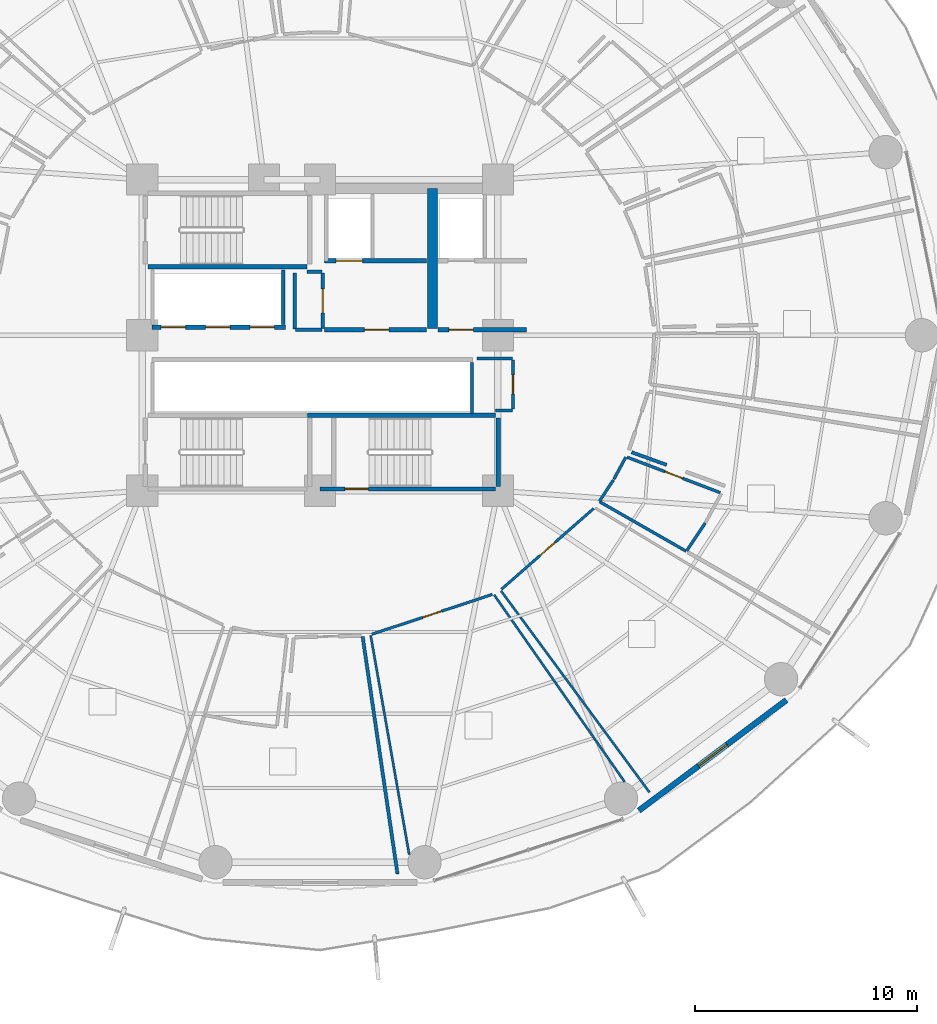
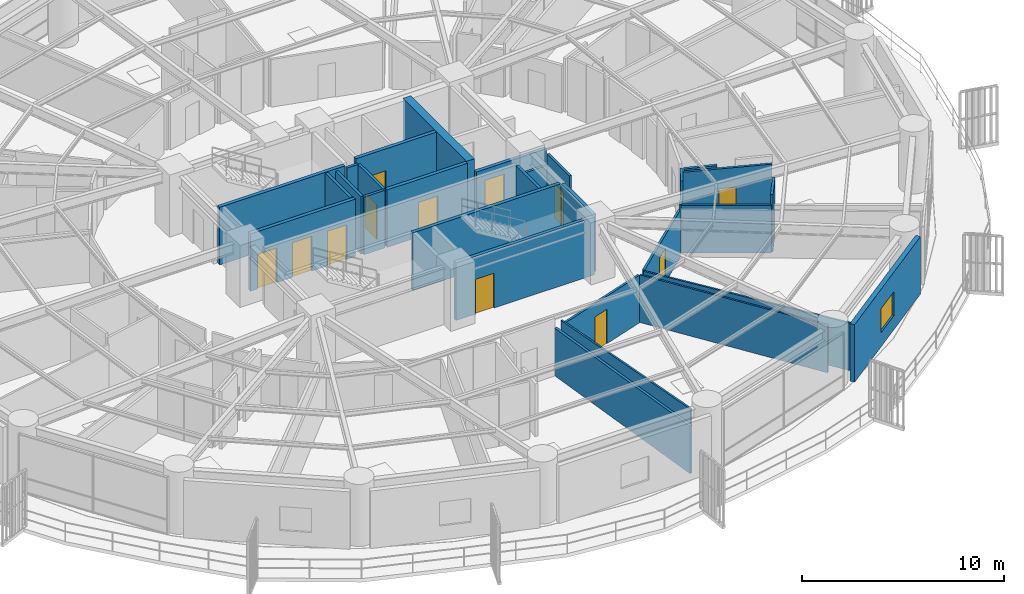
# One storey, part 25 of 34: 31 walls, 12 doors, 1 window, 13 openings.
"""IFC4 building model written with IfcOpenShell, lengths in metres."""

from ifc_helpers import new_model, si_unit, direction, frame, frame_2d, origin, place, context, subcontext, project, spatial, rectangle, extrude, material, layer, layer_set, type_object, element, fill, save


model = new_model("IFC4")

# Units and contexts
model_context = context("Model", 3, precision=1e-05, world=origin(), true_north=direction((0.0, 1.0)))
body_context = subcontext(model_context, "Body", "Model", "MODEL_VIEW")
ifc_project = project(units=[si_unit("LENGTHUNIT", "METRE"), si_unit("AREAUNIT", "SQUARE_METRE"), si_unit("VOLUMEUNIT", "CUBIC_METRE"), si_unit("PLANEANGLEUNIT", "RADIAN"), si_unit("MASSUNIT", "GRAM", prefix="KILO")], contexts=[model_context])

# Site, building, storey
site_placement = place(None, origin())
site = spatial("IfcSite", under=ifc_project, at=site_placement, CompositionType="ELEMENT")
building_placement = place(site_placement, origin())
building = spatial("IfcBuilding", under=site, at=building_placement, Name="Kelanora Arch Commons", CompositionType="ELEMENT")
storey_placement = place(building_placement, frame((0.0, 0.0, 33.75)))
storey = spatial("IfcBuildingStorey", under=building, at=storey_placement, Name="L08", CompositionType="ELEMENT", Elevation=33.75)

# Walls
ifc_material_1 = material(Name="Autoclaved aerated concrete blockwork with fire plaster", Category="masonry")
ifc_layer_1 = layer(ifc_material_1, 0.14990234375)
ifc_layer_set_1 = layer_set([ifc_layer_1], Name="Autoclaved aerated concrete blockwork with fire plaster")
wall_type_1 = type_object("IfcWallType", Name="W-COMP-150", PredefinedType="PARTITIONING", material=ifc_layer_set_1)
wall_1_placement = place(storey_placement, frame((72.340087890625, 58.47998046875, 0.0), z_axis=(0.0, 0.0, 1.0), x_axis=(0.0, 1.0, 0.0)))
element("IfcWall", 1, at=wall_1_placement, inside=storey, type_object=wall_type_1, Name="Low-Rise Lift Bank East Wall L08", PredefinedType="PARTITIONING", context=body_context, shape_type="SweptSolid", body=[
    extrude(rectangle(XDim=2.4599609375, YDim=0.14990234375, at=frame_2d((1.22998046875, 0.0))), origin(), (0.0, 0.0, 1.0), 3.47998046875),
])
wall_2_placement = place(storey_placement, frame((80.840087890625, 54.47998046875, 0.0), z_axis=(0.0, 0.0, 1.0), x_axis=(0.0, 1.0, 0.0)))
element("IfcWall", 2, at=wall_2_placement, inside=storey, type_object=wall_type_1, Name="South Lift Bank East Wall L08", PredefinedType="PARTITIONING", context=body_context, shape_type="SweptSolid", body=[
    extrude(rectangle(XDim=2.2900390625, YDim=0.14990234375, at=frame_2d((1.14501953125, 0.0))), origin(), (0.0, 0.0, 1.0), 3.47998046875),
])

# Wall, opening, door
wall_3_placement = place(storey_placement, frame((74.1201171875, 58.31005859375, 0.0), z_axis=(0.0, 0.0, 1.0), x_axis=(0.0, 1.0, 0.0)))
wall_3 = element("IfcWall", 3, at=wall_3_placement, inside=storey, type_object=wall_type_1, Name="Core Linen Supply Store L08 Entry Partition", PredefinedType="PARTITIONING", context=body_context, shape_type="SweptSolid", body=[
    extrude(rectangle(XDim=2.47998046875, YDim=0.14990234375, at=frame_2d((1.239990234375, 0.0))), origin(), (0.0, 0.0, 1.0), 3.47998046875),
])
opening_1_placement = place(wall_3_placement, frame((0.699951171875, 0.0, 0.0)))
opening_1 = element("IfcOpeningElement", 4, at=opening_1_placement, cuts=wall_3, Name="Opening D-PLT1", PredefinedType="OPENING", context=body_context, shape_type="SweptSolid", body=[
    extrude(rectangle(XDim=1.080078125, YDim=2.10009765625, at=frame_2d((0.5400390625, 1.050048828125))), frame((0.0, 0.0849609375, 0.0), z_axis=(0.0, -1.0, 0.0), x_axis=(1.0, 0.0, 0.0)), (0.0, 0.0, 1.0), 0.169921875),
])
ifc_material_2 = material(Name="Galvanised steel plant and riser fire door", Category="steel")
door_type_1 = type_object("IfcDoorType", Name="D-PLT-110", OperationType="NOTDEFINED", PredefinedType="DOOR", material=ifc_material_2)
door_1_placement = place(opening_1_placement, origin())
door_1 = element("IfcDoor", 5, at=door_1_placement, inside=storey, type_object=door_type_1, Name="Core Linen Supply Store L08 Door", OperationType="SINGLE_SWING_RIGHT", OverallHeight=2.10009765625, OverallWidth=1.080078125, PredefinedType="DOOR", context=body_context, shape_type="SweptSolid", body=[
    extrude(rectangle(XDim=1.080078125, YDim=2.10009765625, at=frame_2d((0.5400390625, 1.050048828125))), frame((0.0, 0.02490234375, 0.0), z_axis=(0.0, -1.0, 0.0), x_axis=(1.0, 0.0, 0.0)), (0.0, 0.0, 1.0), 0.050048828125),
])
fill(opening_1, door_1)

# Walls
wall_4_placement = place(storey_placement, frame((72.89990234375, 58.25, 0.0), z_axis=(0.0, 0.0, 1.0), x_axis=(1.0, 0.0, 0.0)))
element("IfcWall", 6, at=wall_4_placement, inside=storey, type_object=wall_type_1, Name="Core Linen Supply Store L08 Enclosure Partition 1", PredefinedType="PARTITIONING", context=body_context, shape_type="SweptSolid", body=[
    extrude(rectangle(XDim=1.18017578125, YDim=0.14990234375, at=frame_2d((0.590087890625, 0.0))), origin(), (0.0, 0.0, 1.0), 3.47998046875),
])
wall_5_placement = place(storey_placement, frame((74.080078125, 60.85009765625, 0.0), z_axis=(0.0, 0.0, 1.0), x_axis=(-1.0, 0.0, 0.0)))
element("IfcWall", 7, at=wall_5_placement, inside=storey, type_object=wall_type_1, Name="Core Linen Supply Store L08 Enclosure Partition 3", PredefinedType="PARTITIONING", context=body_context, shape_type="SweptSolid", body=[
    extrude(rectangle(XDim=0.66015625, YDim=0.14990234375, at=frame_2d((0.330078125, 0.0))), origin(), (0.0, 0.0, 1.0), 3.47998046875),
])
wall_6_placement = place(storey_placement, frame((72.860107421875, 60.81005859375, 0.0), z_axis=(0.0, 0.0, 1.0), x_axis=(0.0, -1.0, 0.0)))
element("IfcWall", 8, at=wall_6_placement, inside=storey, type_object=wall_type_1, Name="Core Linen Supply Store L08 Enclosure Partition 4", PredefinedType="PARTITIONING", context=body_context, shape_type="SweptSolid", body=[
    extrude(rectangle(XDim=2.52001953125, YDim=0.14990234375, at=frame_2d((1.260009765625, 0.0))), origin(), (0.0, 0.0, 1.0), 3.47998046875),
])
wall_7_placement = place(storey_placement, frame((75.915771484375, 44.4404296875, 0.0), z_axis=(0.0, 0.0, 1.0), x_axis=(0.145430849227, -0.989368418787, 0.0)))
element("IfcWall", 9, at=wall_7_placement, inside=storey, type_object=wall_type_1, Name="Co-Living Studio L08-11 Enclosure Partition 2", PredefinedType="PARTITIONING", context=body_context, shape_type="SweptSolid", body=[
    extrude(rectangle(XDim=10.797607421875, YDim=0.14990234375, at=frame_2d((5.39892578125, 0.0))), origin(), (0.0, 0.0, 1.0), 2.875),
])
wall_8_placement = place(storey_placement, frame((89.595703125, 52.165283203125, 0.0), z_axis=(0.0, 0.0, 1.0), x_axis=(-0.940530649561, 0.339708841856, 0.0)))
element("IfcWall", 10, at=wall_8_placement, inside=storey, type_object=wall_type_1, Name="Co-Living Studio L08-14 Enclosure Partition 7", PredefinedType="PARTITIONING", context=body_context, shape_type="SweptSolid", body=[
    extrude(rectangle(XDim=1.677490234375, YDim=0.14990234375, at=frame_2d((0.8388671875, 0.0))), origin(), (0.0, 0.0, 1.0), 3.235107421875),
])
ifc_material_3 = material(Name="Concrete C60/75", Category="concrete")
ifc_layer_2 = layer(ifc_material_3, 0.449951171875)
ifc_layer_set_2 = layer_set([ifc_layer_2], Name="Concrete C60/75")
wall_type_2 = type_object("IfcWallType", Name="W-CORE-450", PredefinedType="SHEAR", material=ifc_layer_set_2)
wall_9_placement = place(storey_placement, frame((79.050048828125, 58.300048828125, 0.0), z_axis=(0.0, 0.0, 1.0), x_axis=(0.0, 1.0, 0.0)))
element("IfcWall", 11, at=wall_9_placement, inside=storey, type_object=wall_type_2, Name="Core Shear Spine L08-CE-N", PredefinedType="SHEAR", context=body_context, shape_type="SweptSolid", body=[
    extrude(rectangle(XDim=6.300048828125, YDim=0.449951171875, at=frame_2d((3.14990234375, 0.0))), origin(), (0.0, 0.0, 1.0), 3.489990234375),
])

# Wall, opening, window
ifc_material_4 = material(Name="Precast concrete C40/50 with terracotta rainscreen", Category="masonry")
ifc_layer_3 = layer(ifc_material_4, 0.260009765625)
ifc_layer_set_3 = layer_set([ifc_layer_3], Name="Precast concrete C40/50 with terracotta rainscreen")
wall_type_3 = type_object("IfcWallType", Name="W-EXT-TC", PredefinedType="SOLIDWALL", material=ifc_layer_set_3)
wall_10_placement = place(storey_placement, frame((88.348876953125, 36.61083984375, 0.0), z_axis=(0.0, 0.0, 1.0), x_axis=(0.80030733173, 0.599590005569, 0.0)))
wall_10 = element("IfcWall", 12, at=wall_10_placement, inside=storey, type_object=wall_type_3, Name="Terracotta Exterior Wall L08-B15", PredefinedType="SOLIDWALL", context=body_context, shape_type="SweptSolid", body=[
    extrude(rectangle(XDim=8.29052734375, YDim=0.260009765625, at=frame_2d((4.145263671875, 0.0))), origin(), (0.0, 0.0, 1.0), 3.47509765625),
])
opening_2_placement = place(wall_10_placement, frame((3.344970703125, 0.0, 0.85009765625)))
opening_2 = element("IfcOpeningElement", 13, at=opening_2_placement, cuts=wall_10, Name="Opening WN-01", PredefinedType="OPENING", context=body_context, shape_type="SweptSolid", body=[
    extrude(rectangle(XDim=1.60009765625, YDim=1.449951171875, at=frame_2d((0.800048828125, 0.72509765625))), frame((0.0, 0.14013671875, 0.0), z_axis=(0.0, -1.0, 0.0), x_axis=(1.0, 0.0, 0.0)), (0.0, 0.0, 1.0), 0.280029296875),
])
ifc_material_5 = material(Name="Terracotta-anodised aluminium frame with operable low-E glazing", Category="masonry")
window_type = type_object("IfcWindowType", Name="WIN-CL-18", PartitioningType="DOUBLE_PANEL_VERTICAL", PredefinedType="WINDOW", material=ifc_material_5)
window_placement = place(opening_2_placement, origin())
window = element("IfcWindow", 14, at=window_placement, inside=storey, type_object=window_type, Name="Co-Living Operable Window L08-B15", OverallHeight=1.449951171875, OverallWidth=1.60009765625, PartitioningType="SINGLE_PANEL", PredefinedType="WINDOW", context=body_context, shape_type="SweptSolid", body=[
    extrude(rectangle(XDim=1.60009765625, YDim=1.449951171875, at=frame_2d((0.800048828125, 0.72509765625))), frame((0.0, 0.030029296875, 0.0), z_axis=(0.0, -1.0, 0.0), x_axis=(1.0, 0.0, 0.0)), (0.0, 0.0, 1.0), 0.06005859375),
])
fill(opening_2, window)

# Wall, opening, door
ifc_material_6 = material(Name="Concrete C40/50", Category="concrete")
ifc_layer_4 = layer(ifc_material_6, 0.199951171875)
ifc_layer_set_4 = layer_set([ifc_layer_4], Name="Concrete C40/50")
wall_type_4 = type_object("IfcWallType", Name="W-FFL-200", PredefinedType="SOLIDWALL", material=ifc_layer_set_4)
wall_11_placement = place(storey_placement, frame((74.199951171875, 61.35009765625, 0.0), z_axis=(0.0, 0.0, 1.0), x_axis=(1.0, 0.0, 0.0)))
wall_11 = element("IfcWall", 15, at=wall_11_placement, inside=storey, type_object=wall_type_4, Name="Firefighting Lift 1 Shaft Front L08", PredefinedType="SOLIDWALL", context=body_context, shape_type="SweptSolid", body=[
    extrude(rectangle(XDim=4.60009765625, YDim=0.199951171875, at=frame_2d((2.300048828125, 0.0))), origin(), (0.0, 0.0, 1.0), 3.47998046875),
])
opening_3_placement = place(wall_11_placement, frame((0.52001953125, 0.0, 0.0)))
opening_3 = element("IfcOpeningElement", 16, at=opening_3_placement, cuts=wall_11, Name="Opening LD-FF", PredefinedType="OPENING", context=body_context, shape_type="SweptSolid", body=[
    extrude(rectangle(XDim=1.199951171875, YDim=2.14990234375, at=frame_2d((0.60009765625, 1.074951171875))), frame((0.0, 0.10986328125, 0.0), z_axis=(0.0, -1.0, 0.0), x_axis=(1.0, 0.0, 0.0)), (0.0, 0.0, 1.0), 0.219970703125),
])
ifc_material_7 = material(Name="Fire-rated firefighters lift sliding landing door")
door_type_2 = type_object("IfcDoorType", Name="D-LIFT-FF", OperationType="NOTDEFINED", PredefinedType="DOOR", material=ifc_material_7)
door_2_placement = place(opening_3_placement, origin())
door_2 = element("IfcDoor", 17, at=door_2_placement, inside=storey, type_object=door_type_2, Name="Firefighting Lift LF-FF1 Landing Door L08", OperationType="DOUBLE_DOOR_SLIDING", OverallHeight=2.14990234375, OverallWidth=1.199951171875, PredefinedType="DOOR", context=body_context, shape_type="SweptSolid", body=[
    extrude(rectangle(XDim=1.199951171875, YDim=2.14990234375, at=frame_2d((0.60009765625, 1.074951171875))), frame((0.0, 0.02490234375, 0.0), z_axis=(0.0, -1.0, 0.0), x_axis=(1.0, 0.0, 0.0)), (0.0, 0.0, 1.0), 0.050048828125),
])
fill(opening_3, door_2)

wall_12_placement = place(storey_placement, frame((74.199951171875, 58.25, 0.0), z_axis=(0.0, 0.0, 1.0), x_axis=(1.0, 0.0, 0.0)))
wall_12 = element("IfcWall", 18, at=wall_12_placement, inside=storey, type_object=wall_type_4, Name="Firefighting Lobby 1 Enclosure Wall L08", PredefinedType="SOLIDWALL", context=body_context, shape_type="SweptSolid", body=[
    extrude(rectangle(XDim=4.60009765625, YDim=0.199951171875, at=frame_2d((2.300048828125, 0.0))), origin(), (0.0, 0.0, 1.0), 3.47998046875),
])
opening_4_placement = place(wall_12_placement, frame((1.800048828125, 0.0, 0.0)))
opening_4 = element("IfcOpeningElement", 19, at=opening_4_placement, cuts=wall_12, Name="Opening D-FFL1", PredefinedType="OPENING", context=body_context, shape_type="SweptSolid", body=[
    extrude(rectangle(XDim=1.10009765625, YDim=2.10009765625, at=frame_2d((0.550048828125, 1.050048828125))), frame((0.0, 0.10986328125, 0.0), z_axis=(0.0, -1.0, 0.0), x_axis=(1.0, 0.0, 0.0)), (0.0, 0.0, 1.0), 0.219970703125),
])
ifc_material_8 = material(Name="Smoke-sealed firefighting lobby fire door")
door_type_3 = type_object("IfcDoorType", Name="D-FFL-110", OperationType="NOTDEFINED", PredefinedType="DOOR", material=ifc_material_8)
door_3_placement = place(opening_4_placement, frame((1.10009765625, 0.0, 0.0), z_axis=(0.0, 0.0, 1.0), x_axis=(-1.0, 0.0, 0.0)))
door_3 = element("IfcDoor", 20, at=door_3_placement, inside=storey, type_object=door_type_3, Name="Firefighting Lobby 1 Door L08", OperationType="SINGLE_SWING_LEFT", OverallHeight=2.10009765625, OverallWidth=1.10009765625, PredefinedType="DOOR", context=body_context, shape_type="SweptSolid", body=[
    extrude(rectangle(XDim=1.10009765625, YDim=2.10009765625, at=frame_2d((0.550048828125, 1.050048828125))), frame((0.0, 0.02490234375, 0.0), z_axis=(0.0, -1.0, 0.0), x_axis=(1.0, 0.0, 0.0)), (0.0, 0.0, 1.0), 0.050048828125),
])
fill(opening_4, door_3)

wall_13_placement = place(storey_placement, frame((79.300048828125, 58.25, 0.0), z_axis=(0.0, 0.0, 1.0), x_axis=(1.0, 0.0, 0.0)))
wall_13 = element("IfcWall", 21, at=wall_13_placement, inside=storey, type_object=wall_type_4, Name="Firefighting Lobby 2 Enclosure Wall L08", PredefinedType="SOLIDWALL", context=body_context, shape_type="SweptSolid", body=[
    extrude(rectangle(XDim=4.0, YDim=0.199951171875, at=frame_2d((2.0, 0.0))), origin(), (0.0, 0.0, 1.0), 2.77490234375),
])
opening_5_placement = place(wall_13_placement, frame((0.5, 0.0, 0.0)))
opening_5 = element("IfcOpeningElement", 22, at=opening_5_placement, cuts=wall_13, Name="Opening D-FFL1", PredefinedType="OPENING", context=body_context, shape_type="SweptSolid", body=[
    extrude(rectangle(XDim=1.10009765625, YDim=2.10009765625, at=frame_2d((0.550048828125, 1.050048828125))), frame((0.0, 0.10986328125, 0.0), z_axis=(0.0, -1.0, 0.0), x_axis=(1.0, 0.0, 0.0)), (0.0, 0.0, 1.0), 0.219970703125),
])
door_4_placement = place(opening_5_placement, frame((1.10009765625, 0.0, 0.0), z_axis=(0.0, 0.0, 1.0), x_axis=(-1.0, 0.0, 0.0)))
door_4 = element("IfcDoor", 23, at=door_4_placement, inside=storey, type_object=door_type_3, Name="Firefighting Lobby 2 Door L08", OperationType="SINGLE_SWING_RIGHT", OverallHeight=2.10009765625, OverallWidth=1.10009765625, PredefinedType="DOOR", context=body_context, shape_type="SweptSolid", body=[
    extrude(rectangle(XDim=1.10009765625, YDim=2.10009765625, at=frame_2d((0.550048828125, 1.050048828125))), frame((0.0, 0.02490234375, 0.0), z_axis=(0.0, -1.0, 0.0), x_axis=(1.0, 0.0, 0.0)), (0.0, 0.0, 1.0), 0.050048828125),
])
fill(opening_5, door_4)

# Wall, openings, doors
wall_14_placement = place(storey_placement, frame((66.449951171875, 58.35009765625, 0.0), z_axis=(0.0, 0.0, 1.0), x_axis=(1.0, 0.0, 0.0)))
wall_14 = element("IfcWall", 24, at=wall_14_placement, inside=storey, type_object=wall_type_4, Name="Low-Rise Passenger Lift Shaft Front L08", PredefinedType="SOLIDWALL", context=body_context, shape_type="SweptSolid", body=[
    extrude(rectangle(XDim=6.0, YDim=0.199951171875, at=frame_2d((3.0, 0.0))), origin(), (0.0, 0.0, 1.0), 3.47998046875),
])
opening_6_placement = place(wall_14_placement, frame((0.39990234375, 0.0, 0.0)))
opening_6 = element("IfcOpeningElement", 25, at=opening_6_placement, cuts=wall_14, Name="Opening LD-01", PredefinedType="OPENING", context=body_context, shape_type="SweptSolid", body=[
    extrude(rectangle(XDim=1.10009765625, YDim=2.10009765625, at=frame_2d((0.550048828125, 1.050048828125))), frame((0.0, 0.10986328125, 0.0), z_axis=(0.0, -1.0, 0.0), x_axis=(1.0, 0.0, 0.0)), (0.0, 0.0, 1.0), 0.219970703125),
])
opening_7_placement = place(wall_14_placement, frame((2.39990234375, 0.0, 0.0)))
opening_7 = element("IfcOpeningElement", 26, at=opening_7_placement, cuts=wall_14, Name="Opening LD-01", PredefinedType="OPENING", context=body_context, shape_type="SweptSolid", body=[
    extrude(rectangle(XDim=1.10009765625, YDim=2.10009765625, at=frame_2d((0.550048828125, 1.050048828125))), frame((0.0, 0.10986328125, 0.0), z_axis=(0.0, -1.0, 0.0), x_axis=(1.0, 0.0, 0.0)), (0.0, 0.0, 1.0), 0.219970703125),
])
opening_8_placement = place(wall_14_placement, frame((4.39990234375, 0.0, 0.0)))
opening_8 = element("IfcOpeningElement", 27, at=opening_8_placement, cuts=wall_14, Name="Opening LD-01", PredefinedType="OPENING", context=body_context, shape_type="SweptSolid", body=[
    extrude(rectangle(XDim=1.10009765625, YDim=2.10009765625, at=frame_2d((0.550048828125, 1.050048828125))), frame((0.0, 0.10986328125, 0.0), z_axis=(0.0, -1.0, 0.0), x_axis=(1.0, 0.0, 0.0)), (0.0, 0.0, 1.0), 0.219970703125),
])
ifc_material_9 = material(Name="Stainless steel passenger lift sliding landing door", Category="steel")
door_type_4 = type_object("IfcDoorType", Name="D-LIFT-110", OperationType="NOTDEFINED", PredefinedType="DOOR", material=ifc_material_9)
door_5_placement = place(opening_6_placement, origin())
door_5 = element("IfcDoor", 28, at=door_5_placement, inside=storey, type_object=door_type_4, Name="Passenger Lift LF-P1 Landing Door L08", OperationType="DOUBLE_DOOR_SLIDING", OverallHeight=2.10009765625, OverallWidth=1.10009765625, PredefinedType="DOOR", context=body_context, shape_type="SweptSolid", body=[
    extrude(rectangle(XDim=1.10009765625, YDim=2.10009765625, at=frame_2d((0.550048828125, 1.050048828125))), frame((0.0, 0.02490234375, 0.0), z_axis=(0.0, -1.0, 0.0), x_axis=(1.0, 0.0, 0.0)), (0.0, 0.0, 1.0), 0.050048828125),
])
fill(opening_6, door_5)
door_6_placement = place(opening_7_placement, origin())
door_6 = element("IfcDoor", 29, at=door_6_placement, inside=storey, type_object=door_type_4, Name="Passenger Lift LF-P2 Landing Door L08", OperationType="DOUBLE_DOOR_SLIDING", OverallHeight=2.10009765625, OverallWidth=1.10009765625, PredefinedType="DOOR", context=body_context, shape_type="SweptSolid", body=[
    extrude(rectangle(XDim=1.10009765625, YDim=2.10009765625, at=frame_2d((0.550048828125, 1.050048828125))), frame((0.0, 0.02490234375, 0.0), z_axis=(0.0, -1.0, 0.0), x_axis=(1.0, 0.0, 0.0)), (0.0, 0.0, 1.0), 0.050048828125),
])
fill(opening_7, door_6)
door_7_placement = place(opening_8_placement, origin())
door_7 = element("IfcDoor", 30, at=door_7_placement, inside=storey, type_object=door_type_4, Name="Passenger Lift LF-P3 Landing Door L08", OperationType="DOUBLE_DOOR_SLIDING", OverallHeight=2.10009765625, OverallWidth=1.10009765625, PredefinedType="DOOR", context=body_context, shape_type="SweptSolid", body=[
    extrude(rectangle(XDim=1.10009765625, YDim=2.10009765625, at=frame_2d((0.550048828125, 1.050048828125))), frame((0.0, 0.02490234375, 0.0), z_axis=(0.0, -1.0, 0.0), x_axis=(1.0, 0.0, 0.0)), (0.0, 0.0, 1.0), 0.050048828125),
])
fill(opening_8, door_7)

# Walls
ifc_material_10 = material(Name="Lightweight fire-rated acoustic stud partition")
ifc_layer_5 = layer(ifc_material_10, 0.10009765625)
ifc_layer_set_5 = layer_set([ifc_layer_5], Name="Lightweight fire-rated acoustic stud partition")
wall_type_5 = type_object("IfcWallType", Name="W-PART-100", PredefinedType="PARTITIONING", material=ifc_layer_set_5)
wall_15_placement = place(storey_placement, frame((81.830810546875, 46.3212890625, 0.0), z_axis=(0.0, 0.0, 1.0), x_axis=(0.572190897837, -0.820120464586, 0.0)))
element("IfcWall", 31, at=wall_15_placement, inside=storey, type_object=wall_type_5, Name="Quiet Seminar Study Room L08-12 Enclosure Partition 2", PredefinedType="PARTITIONING", context=body_context, shape_type="SweptSolid", body=[
    extrude(rectangle(XDim=10.263671875, YDim=0.10009765625, at=frame_2d((5.1318359375, 0.0))), origin(), (0.0, 0.0, 1.0), 2.875),
])
wall_16_placement = place(storey_placement, frame((78.010498046875, 34.63525390625, 0.0), z_axis=(0.0, 0.0, 1.0), x_axis=(-0.173016726169, 0.984918886237, 0.0)))
element("IfcWall", 32, at=wall_16_placement, inside=storey, type_object=wall_type_5, Name="Quiet Seminar Study Room L08-12 Enclosure Partition 4", PredefinedType="PARTITIONING", context=body_context, shape_type="SweptSolid", body=[
    extrude(rectangle(XDim=10.003173828125, YDim=0.10009765625, at=frame_2d((5.00146484375, 0.0))), origin(), (0.0, 0.0, 1.0), 3.175048828125),
])
wall_17_placement = place(storey_placement, frame((88.822265625, 37.43212890625, 0.0), z_axis=(0.0, 0.0, 1.0), x_axis=(-0.593112501052, 0.805119594281, 0.0)))
element("IfcWall", 33, at=wall_17_placement, inside=storey, type_object=wall_type_5, Name="Quiet Seminar Study Room L08-13 Enclosure Partition 4", PredefinedType="PARTITIONING", context=body_context, shape_type="SweptSolid", body=[
    extrude(rectangle(XDim=11.260009765625, YDim=0.10009765625, at=frame_2d((5.6298828125, 0.0))), origin(), (0.0, 0.0, 1.0), 2.875),
])

# Wall, opening, door
ifc_material_11 = material(Name="Acoustic twin-stud fire-rated gypsum partition")
ifc_layer_6 = layer(ifc_material_11, 0.1201171875)
ifc_layer_set_6 = layer_set([ifc_layer_6], Name="Acoustic twin-stud fire-rated gypsum partition")
wall_type_6 = type_object("IfcWallType", Name="W-PART-120", PredefinedType="PARTITIONING", material=ifc_layer_set_6)
wall_18_placement = place(storey_placement, frame((76.330078125, 44.5458984375, 0.0), z_axis=(0.0, 0.0, 1.0), x_axis=(0.949607265123, 0.313442246716, 0.0)))
wall_18 = element("IfcWall", 34, at=wall_18_placement, inside=storey, type_object=wall_type_6, Name="Quiet Seminar Study Room L08-12 Entry Partition", PredefinedType="PARTITIONING", context=body_context, shape_type="SweptSolid", body=[
    extrude(rectangle(XDim=5.70849609375, YDim=0.1201171875, at=frame_2d((2.854248046875, 0.0))), origin(), (0.0, 0.0, 1.0), 2.875),
])
opening_9_placement = place(wall_18_placement, frame((2.404052734375, 0.0, 0.0)))
opening_9 = element("IfcOpeningElement", 35, at=opening_9_placement, cuts=wall_18, Name="Opening D-RM1", PredefinedType="OPENING", context=body_context, shape_type="SweptSolid", body=[
    extrude(rectangle(XDim=0.89990234375, YDim=2.080078125, at=frame_2d((0.449951171875, 1.0400390625))), frame((0.0, 0.070068359375, 0.0), z_axis=(0.0, -1.0, 0.0), x_axis=(1.0, 0.0, 0.0)), (0.0, 0.0, 1.0), 0.14013671875),
])
ifc_material_12 = material(Name="Acoustic fire-rated timber study and lounge door", Category="wood")
door_type_5 = type_object("IfcDoorType", Name="D-ROOM-90", OperationType="NOTDEFINED", PredefinedType="DOOR", material=ifc_material_12)
door_8_placement = place(opening_9_placement, origin())
door_8 = element("IfcDoor", 36, at=door_8_placement, inside=storey, type_object=door_type_5, Name="Quiet Seminar Study Room L08-12 Door", OperationType="SINGLE_SWING_RIGHT", OverallHeight=2.080078125, OverallWidth=0.89990234375, PredefinedType="DOOR", context=body_context, shape_type="SweptSolid", body=[
    extrude(rectangle(XDim=0.89990234375, YDim=2.080078125, at=frame_2d((0.449951171875, 1.0400390625))), frame((0.0, 0.02490234375, 0.0), z_axis=(0.0, -1.0, 0.0), x_axis=(1.0, 0.0, 0.0)), (0.0, 0.0, 1.0), 0.050048828125),
])
fill(opening_9, door_8)

wall_19_placement = place(storey_placement, frame((82.1650390625, 46.569580078125, 0.0), z_axis=(0.0, 0.0, 1.0), x_axis=(0.752285806045, 0.658836903963, 0.0)))
wall_19 = element("IfcWall", 37, at=wall_19_placement, inside=storey, type_object=wall_type_6, Name="Quiet Seminar Study Room L08-13 Entry Partition", PredefinedType="PARTITIONING", context=body_context, shape_type="SweptSolid", body=[
    extrude(rectangle(XDim=5.512451171875, YDim=0.1201171875, at=frame_2d((2.75634765625, 0.0))), origin(), (0.0, 0.0, 1.0), 2.875),
])
opening_10_placement = place(wall_19_placement, frame((2.305908203125, 0.0, 0.0)))
opening_10 = element("IfcOpeningElement", 38, at=opening_10_placement, cuts=wall_19, Name="Opening D-RM1", PredefinedType="OPENING", context=body_context, shape_type="SweptSolid", body=[
    extrude(rectangle(XDim=0.89990234375, YDim=2.080078125, at=frame_2d((0.449951171875, 1.0400390625))), frame((0.0, 0.070068359375, 0.0), z_axis=(0.0, -1.0, 0.0), x_axis=(1.0, 0.0, 0.0)), (0.0, 0.0, 1.0), 0.14013671875),
])
door_9_placement = place(opening_10_placement, origin())
door_9 = element("IfcDoor", 39, at=door_9_placement, inside=storey, type_object=door_type_5, Name="Quiet Seminar Study Room L08-13 Door", OperationType="SINGLE_SWING_LEFT", OverallHeight=2.080078125, OverallWidth=0.89990234375, PredefinedType="DOOR", context=body_context, shape_type="SweptSolid", body=[
    extrude(rectangle(XDim=0.89990234375, YDim=2.080078125, at=frame_2d((0.449951171875, 1.0400390625))), frame((0.0, 0.02490234375, 0.0), z_axis=(0.0, -1.0, 0.0), x_axis=(1.0, 0.0, 0.0)), (0.0, 0.0, 1.0), 0.050048828125),
])
fill(opening_10, door_9)

# Wall
ifc_layer_7 = layer(ifc_material_6, 0.199951171875)
ifc_layer_set_7 = layer_set([ifc_layer_7], Name="Concrete C40/50")
wall_type_7 = type_object("IfcWallType", Name="W-STAIR-200", PredefinedType="SHEAR", material=ifc_layer_set_7)
wall_20_placement = place(storey_placement, frame((66.260009765625, 61.080078125, 0.0), z_axis=(0.0, 0.0, 1.0), x_axis=(1.0, 0.0, 0.0)))
element("IfcWall", 40, at=wall_20_placement, inside=storey, type_object=wall_type_7, Name="Stair ST-T1 Shaft Wall S L08", PredefinedType="SHEAR", context=body_context, shape_type="SweptSolid", body=[
    extrude(rectangle(XDim=7.159912109375, YDim=0.199951171875, at=frame_2d((3.580078125, 0.0))), origin(), (0.0, 0.0, 1.0), 3.489990234375),
])

# Wall, opening, door
wall_21_placement = place(storey_placement, frame((74.0, 51.080078125, 0.0), z_axis=(0.0, 0.0, 1.0), x_axis=(1.0, 0.0, 0.0)))
wall_21 = element("IfcWall", 41, at=wall_21_placement, inside=storey, type_object=wall_type_7, Name="Stair ST-T2 Shaft Wall S L08", PredefinedType="SHEAR", context=body_context, shape_type="SweptSolid", body=[
    extrude(rectangle(XDim=7.89990234375, YDim=0.199951171875, at=frame_2d((3.949951171875, 0.0))), origin(), (0.0, 0.0, 1.0), 3.489990234375),
])
opening_11_placement = place(wall_21_placement, frame((1.1201171875, 0.0, 0.0)))
opening_11 = element("IfcOpeningElement", 42, at=opening_11_placement, cuts=wall_21, Name="Opening D-ST1", PredefinedType="OPENING", context=body_context, shape_type="SweptSolid", body=[
    extrude(rectangle(XDim=1.050048828125, YDim=2.10009765625, at=frame_2d((0.52490234375, 1.050048828125))), frame((0.0, 0.10986328125, 0.0), z_axis=(0.0, -1.0, 0.0), x_axis=(1.0, 0.0, 0.0)), (0.0, 0.0, 1.0), 0.219970703125),
])
ifc_material_13 = material(Name="Steel fire-rated stairwell escape door", Category="steel")
door_type_6 = type_object("IfcDoorType", Name="D-STAIR-110", OperationType="NOTDEFINED", PredefinedType="DOOR", material=ifc_material_13)
door_10_placement = place(opening_11_placement, origin())
door_10 = element("IfcDoor", 43, at=door_10_placement, inside=storey, type_object=door_type_6, Name="Stair ST-T2 Escape Door L08", OperationType="SINGLE_SWING_LEFT", OverallHeight=2.10009765625, OverallWidth=1.050048828125, PredefinedType="DOOR", context=body_context, shape_type="SweptSolid", body=[
    extrude(rectangle(XDim=1.050048828125, YDim=2.10009765625, at=frame_2d((0.52490234375, 1.050048828125))), frame((0.0, 0.02490234375, 0.0), z_axis=(0.0, -1.0, 0.0), x_axis=(1.0, 0.0, 0.0)), (0.0, 0.0, 1.0), 0.050048828125),
])
fill(opening_11, door_10)

# Walls
wall_22_placement = place(storey_placement, frame((82.02001953125, 51.199951171875, 0.0), z_axis=(0.0, 0.0, 1.0), x_axis=(0.0, 1.0, 0.0)))
element("IfcWall", 44, at=wall_22_placement, inside=storey, type_object=wall_type_7, Name="Stair ST-T2 Shaft Wall E L08", PredefinedType="SHEAR", context=body_context, shape_type="SweptSolid", body=[
    extrude(rectangle(XDim=3.070068359375, YDim=0.199951171875, at=frame_2d((1.53515625, 0.0))), origin(), (0.0, 0.0, 1.0), 3.489990234375),
])
wall_23_placement = place(storey_placement, frame((81.89990234375, 54.389892578125, 0.0), z_axis=(0.0, 0.0, 1.0), x_axis=(-1.0, 0.0, 0.0)))
element("IfcWall", 45, at=wall_23_placement, inside=storey, type_object=wall_type_7, Name="Stair ST-T2 Shaft Wall N L08", PredefinedType="SHEAR", context=body_context, shape_type="SweptSolid", body=[
    extrude(rectangle(XDim=8.4599609375, YDim=0.199951171875, at=frame_2d((4.22998046875, 0.0))), origin(), (0.0, 0.0, 1.0), 3.489990234375),
])

# Wall, opening, door
ifc_material_14 = material(Name="Moisture-resistant fire-rated cement-board plumbing wall")
ifc_layer_8 = layer(ifc_material_14, 0.1298828125)
ifc_layer_set_8 = layer_set([ifc_layer_8], Name="Moisture-resistant fire-rated cement-board plumbing wall")
wall_type_8 = type_object("IfcWallType", Name="W-WET-120", PredefinedType="PLUMBINGWALL", material=ifc_layer_set_8)
wall_24_placement = place(storey_placement, frame((82.679931640625, 54.679931640625, 0.0), z_axis=(0.0, 0.0, 1.0), x_axis=(0.0, 1.0, 0.0)))
wall_24 = element("IfcWall", 46, at=wall_24_placement, inside=storey, type_object=wall_type_8, Name="Core Accessible Unisex WC L08 Entry Partition", PredefinedType="PLUMBINGWALL", context=body_context, shape_type="SweptSolid", body=[
    extrude(rectangle(XDim=2.2099609375, YDim=0.1298828125, at=frame_2d((1.10498046875, 0.0))), origin(), (0.0, 0.0, 1.0), 3.47998046875),
])
opening_12_placement = place(wall_24_placement, frame((0.675048828125, 0.0, 0.0)))
opening_12 = element("IfcOpeningElement", 47, at=opening_12_placement, cuts=wall_24, Name="Opening D-BT1", PredefinedType="OPENING", context=body_context, shape_type="SweptSolid", body=[
    extrude(rectangle(XDim=0.860107421875, YDim=2.050048828125, at=frame_2d((0.43017578125, 1.02490234375))), frame((0.0, 0.074951171875, 0.0), z_axis=(0.0, -1.0, 0.0), x_axis=(1.0, 0.0, 0.0)), (0.0, 0.0, 1.0), 0.14990234375),
])
ifc_material_15 = material(Name="Moisture-sealed fire-rated accessible bathroom door")
door_type_7 = type_object("IfcDoorType", Name="D-BATH-85", OperationType="NOTDEFINED", PredefinedType="DOOR", material=ifc_material_15)
door_11_placement = place(opening_12_placement, origin())
door_11 = element("IfcDoor", 48, at=door_11_placement, inside=storey, type_object=door_type_7, Name="Core Accessible Unisex WC L08 Door", OperationType="SINGLE_SWING_LEFT", OverallHeight=2.050048828125, OverallWidth=0.860107421875, PredefinedType="DOOR", context=body_context, shape_type="SweptSolid", body=[
    extrude(rectangle(XDim=0.860107421875, YDim=2.050048828125, at=frame_2d((0.43017578125, 1.02490234375))), frame((0.0, 0.02490234375, 0.0), z_axis=(0.0, -1.0, 0.0), x_axis=(1.0, 0.0, 0.0)), (0.0, 0.0, 1.0), 0.050048828125),
])
fill(opening_12, door_11)

wall_25_placement = place(storey_placement, frame((87.822998046875, 52.509521484375, 0.0), z_axis=(0.0, 0.0, 1.0), x_axis=(0.934413446892, -0.356190272562, 0.0)))
wall_25 = element("IfcWall", 49, at=wall_25_placement, inside=storey, type_object=wall_type_8, Name="En-Suite Shower WC L08-14 Entry Partition", PredefinedType="PLUMBINGWALL", context=body_context, shape_type="SweptSolid", body=[
    extrude(rectangle(XDim=4.478515625, YDim=0.1298828125, at=frame_2d((2.2392578125, 0.0))), origin(), (0.0, 0.0, 1.0), 3.235107421875),
])
opening_13_placement = place(wall_25_placement, frame((1.80908203125, 0.0, 0.0)))
opening_13 = element("IfcOpeningElement", 50, at=opening_13_placement, cuts=wall_25, Name="Opening D-BT1", PredefinedType="OPENING", context=body_context, shape_type="SweptSolid", body=[
    extrude(rectangle(XDim=0.860107421875, YDim=2.050048828125, at=frame_2d((0.43017578125, 1.02490234375))), frame((0.0, 0.074951171875, 0.0), z_axis=(0.0, -1.0, 0.0), x_axis=(1.0, 0.0, 0.0)), (0.0, 0.0, 1.0), 0.14990234375),
])
door_12_placement = place(opening_13_placement, origin())
door_12 = element("IfcDoor", 51, at=door_12_placement, inside=storey, type_object=door_type_7, Name="En-Suite Shower WC L08-14 Door", OperationType="SINGLE_SWING_RIGHT", OverallHeight=2.050048828125, OverallWidth=0.860107421875, PredefinedType="DOOR", context=body_context, shape_type="SweptSolid", body=[
    extrude(rectangle(XDim=0.860107421875, YDim=2.050048828125, at=frame_2d((0.43017578125, 1.02490234375))), frame((0.0, 0.02490234375, 0.0), z_axis=(0.0, -1.0, 0.0), x_axis=(1.0, 0.0, 0.0)), (0.0, 0.0, 1.0), 0.050048828125),
])
fill(opening_13, door_12)

# Walls
wall_26_placement = place(storey_placement, frame((81.89990234375, 54.6201171875, 0.0), z_axis=(0.0, 0.0, 1.0), x_axis=(1.0, 0.0, 0.0)))
element("IfcWall", 52, at=wall_26_placement, inside=storey, type_object=wall_type_8, Name="Core Accessible Unisex WC L08 Enclosure Partition 1", PredefinedType="PLUMBINGWALL", context=body_context, shape_type="SweptSolid", body=[
    extrude(rectangle(XDim=0.760009765625, YDim=0.1298828125, at=frame_2d((0.3798828125, 0.0))), origin(), (0.0, 0.0, 1.0), 2.77490234375),
])
wall_27_placement = place(storey_placement, frame((82.659912109375, 56.949951171875, 0.0), z_axis=(0.0, 0.0, 1.0), x_axis=(-1.0, 0.0, 0.0)))
element("IfcWall", 53, at=wall_27_placement, inside=storey, type_object=wall_type_8, Name="Core Accessible Unisex WC L08 Enclosure Partition 3", PredefinedType="PLUMBINGWALL", context=body_context, shape_type="SweptSolid", body=[
    extrude(rectangle(XDim=1.58984375, YDim=0.1298828125, at=frame_2d((0.794921875, 0.0))), origin(), (0.0, 0.0, 1.0), 2.77490234375),
])
wall_28_placement = place(storey_placement, frame((86.572998046875, 50.53369140625, 0.0), z_axis=(0.0, 0.0, 1.0), x_axis=(0.550537530442, 0.834810414151, 0.0)))
element("IfcWall", 54, at=wall_28_placement, inside=storey, type_object=wall_type_8, Name="En-Suite Shower WC L08-14 Enclosure Partition 1", PredefinedType="PLUMBINGWALL", context=body_context, shape_type="SweptSolid", body=[
    extrude(rectangle(XDim=1.138916015625, YDim=0.1298828125, at=frame_2d((0.5693359375, 0.0))), origin(), (0.0, 0.0, 1.0), 2.875),
])
wall_29_placement = place(storey_placement, frame((87.220458984375, 51.5185546875, 0.0), z_axis=(0.0, 0.0, 1.0), x_axis=(0.47506531907, 0.879950534187, 0.0)))
element("IfcWall", 55, at=wall_29_placement, inside=storey, type_object=wall_type_8, Name="En-Suite Shower WC L08-14 Enclosure Partition 2", PredefinedType="PLUMBINGWALL", context=body_context, shape_type="SweptSolid", body=[
    extrude(rectangle(XDim=1.130615234375, YDim=0.1298828125, at=frame_2d((0.5654296875, 0.0))), origin(), (0.0, 0.0, 1.0), 3.47998046875),
])
wall_30_placement = place(storey_placement, frame((91.323974609375, 49.537353515625, 0.0), z_axis=(0.0, 0.0, 1.0), x_axis=(-0.554361413566, -0.832276049847, 0.0)))
element("IfcWall", 56, at=wall_30_placement, inside=storey, type_object=wall_type_8, Name="En-Suite Shower WC L08-14 Enclosure Partition 5", PredefinedType="PLUMBINGWALL", context=body_context, shape_type="SweptSolid", body=[
    extrude(rectangle(XDim=1.496826171875, YDim=0.1298828125, at=frame_2d((0.74853515625, 0.0))), origin(), (0.0, 0.0, 1.0), 3.47998046875),
])
wall_31_placement = place(storey_placement, frame((90.465576171875, 48.284912109375, 0.0), z_axis=(0.0, 0.0, 1.0), x_axis=(-0.868102152808, 0.496385588319, 0.0)))
element("IfcWall", 57, at=wall_31_placement, inside=storey, type_object=wall_type_8, Name="En-Suite Shower WC L08-14 Enclosure Partition 6", PredefinedType="PLUMBINGWALL", context=body_context, shape_type="SweptSolid", body=[
    extrude(rectangle(XDim=4.476806640625, YDim=0.1298828125, at=frame_2d((2.23828125, 0.0))), origin(), (0.0, 0.0, 1.0), 2.875),
])

save(model, "model.ifc")
